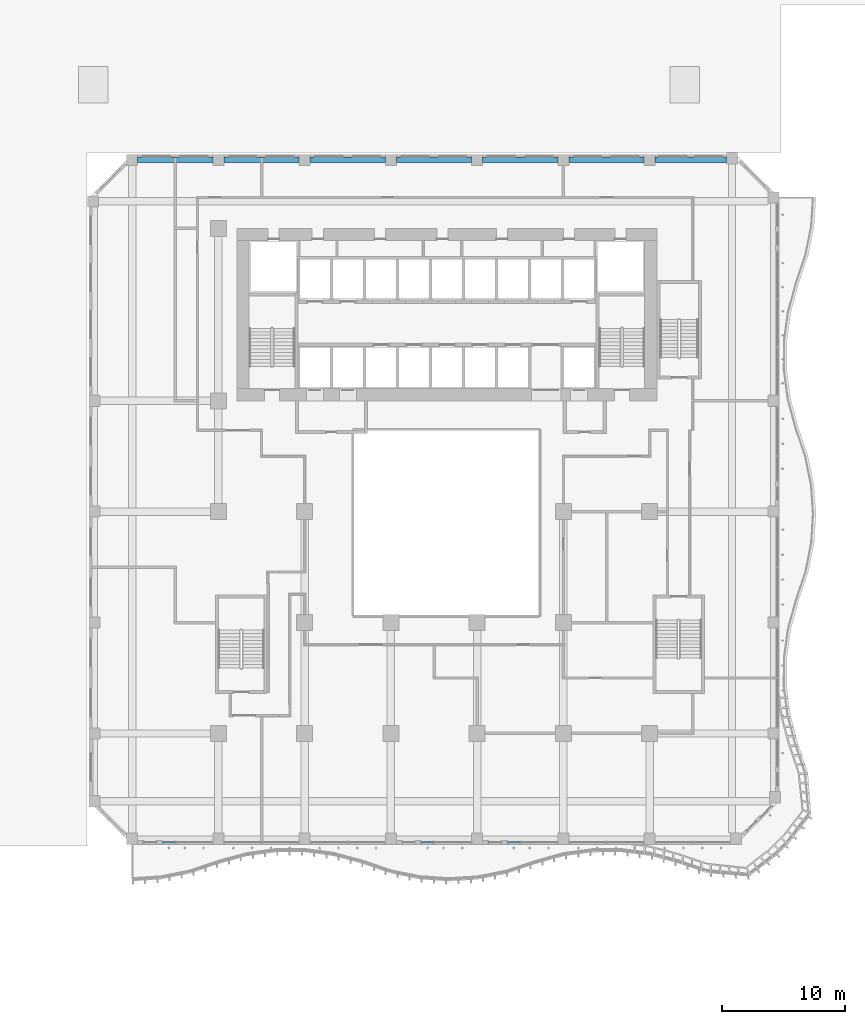
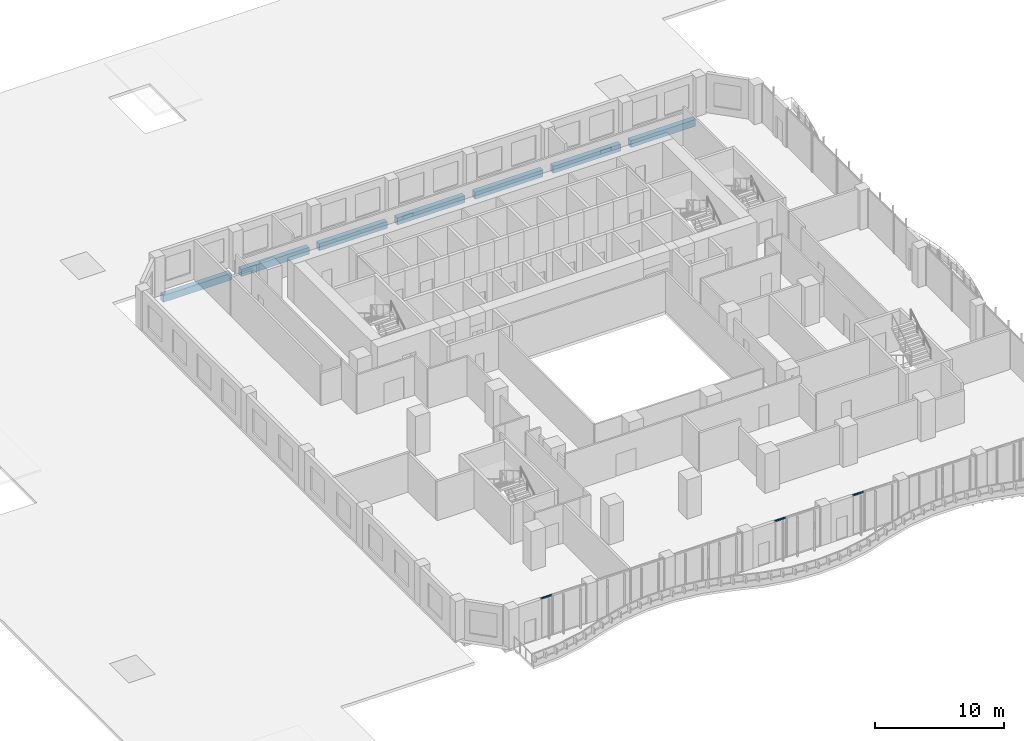
# One storey, part 10 of 29: 7 beams, 3 members, 3 elements without a shape of their own.
"""IFC4 building model written with IfcOpenShell, lengths in metres."""

from ifc_helpers import new_model, si_unit, direction, frame, origin, origin_2d, place, context, subcontext, project, spatial, rectangle, extrude, source, transform, mapped, material, material_profile, profile_set, type_object, element, aggregate, save


model = new_model("IFC4")

# Units and contexts
model_context = context("Model", 3, precision=1e-05, world=origin(), true_north=direction((0.0, 1.0)))
body_context = subcontext(model_context, "Body", "Model", "MODEL_VIEW")
ifc_project = project(units=[si_unit("LENGTHUNIT", "METRE"), si_unit("AREAUNIT", "SQUARE_METRE"), si_unit("VOLUMEUNIT", "CUBIC_METRE"), si_unit("PLANEANGLEUNIT", "RADIAN"), si_unit("MASSUNIT", "GRAM", prefix="KILO")], contexts=[model_context])

# Site, building, storey
site_placement = place(None, origin())
site = spatial("IfcSite", under=ifc_project, at=site_placement, CompositionType="ELEMENT")
building_placement = place(site_placement, origin())
building = spatial("IfcBuilding", under=site, at=building_placement, Name="Kilnfold Tower and Market Hall", CompositionType="ELEMENT")
storey_placement = place(building_placement, frame((0.0, 0.0, 27.0)))
storey = spatial("IfcBuildingStorey", under=building, at=storey_placement, Name="L05", CompositionType="ELEMENT", Elevation=27.0)

# Beams
ifc_material_1 = material(Name="Concrete C45", Category="concrete")
ifc_material_profile_1 = material_profile(ifc_material_1, rectangle(XDim=0.449951171875, YDim=0.64990234375, at=origin_2d()), Name="RC 450x650")
ifc_profile_set_1 = profile_set([ifc_material_profile_1], Name="Concrete C45")
beam_type = type_object("IfcBeamType", Name="EDGE BEAM 450X650 C45", PredefinedType="BEAM", material=ifc_profile_set_1)
shared_shape_1 = source(origin(), body_context, "Body", "SweptSolid", [
    extrude(rectangle(XDim=0.449951171875, YDim=0.64990234375, at=origin_2d()), origin(), (0.0, 0.0, 1.0), 6.10009765625),
])
for number, where, z_axis, x_axis, name in (
    (1, (-24.050048828125, 27.550048828125, -0.60498046875), (1.0, 0.0, 0.0), (0.0, 1.0, 0.0), "Beam EB650-B1.23"),
    (2, (-17.050048828125, 27.550048828125, -0.60498046875), (1.0, 0.0, 0.0), (0.0, 1.0, 0.0), "Beam EB650-B1.24"),
    (3, (-10.050048828125, 27.550048828125, -0.60498046875), (1.0, 0.0, 0.0), (0.0, 1.0, 0.0), "Beam EB650-B1.25"),
    (4, (-3.050048828125, 27.550048828125, -0.60498046875), (1.0, 0.0, 0.0), (0.0, 1.0, 0.0), "Beam EB650-B1.26"),
    (5, (3.949951171875, 27.550048828125, -0.60498046875), (1.0, 0.0, 0.0), (0.0, 1.0, 0.0), "Beam EB650-B1.27"),
    (6, (10.949951171875, 27.550048828125, -0.60498046875), (1.0, 0.0, 0.0), (0.0, 1.0, 0.0), "Beam EB650-B1.28"),
):
    element("IfcBeam", number, at=place(storey_placement, frame(where, z_axis=z_axis, x_axis=x_axis)), inside=storey, type_object=beam_type, Name=name, PredefinedType="BEAM", context=body_context, shape_type="MappedRepresentation", body=[
        mapped(shared_shape_1, transform((0.0, 0.0, 0.0))),
    ])
shared_shape_2 = source(origin(), body_context, "Body", "SweptSolid", [
    extrude(rectangle(XDim=0.449951171875, YDim=0.64990234375, at=origin_2d()), origin(), (0.0, 0.0, 1.0), 5.78173828125),
])
beam_placement = place(storey_placement, frame((17.949951171875, 27.550048828125, -0.60498046875), z_axis=(1.0, 0.0, 0.0), x_axis=(0.0, 1.0, 0.0)))
element("IfcBeam", 7, at=beam_placement, inside=storey, type_object=beam_type, Name="Beam EB650-B1.29", PredefinedType="BEAM", context=body_context, shape_type="MappedRepresentation", body=[
    mapped(shared_shape_2, transform((0.0, 0.0, 0.0))),
])

# Curtain wall, member
ifc_material_2 = material(Name="Aluminium and double glazing", Category="aluminium")
curtain_wall_type = type_object("IfcCurtainWallType", Name="CW OF1 VALLEY GLAZING", PredefinedType="NOTDEFINED", material=ifc_material_2)
curtain_wall_1_placement = place(storey_placement, origin())
curtain_wall_1 = element("IfcCurtainWall", 8, at=curtain_wall_1_placement, inside=storey, type_object=curtain_wall_type, Name="Curtain wall CW1 L05 S", PredefinedType="NOTDEFINED")
ifc_material_3 = material(Name="Aluminium", Category="aluminium")
ifc_material_profile_2 = material_profile(ifc_material_3, rectangle(XDim=0.06005859375, YDim=0.139892578125, at=origin_2d()), Name="TRANSOM 60x140")
ifc_profile_set_2 = profile_set([ifc_material_profile_2], Name="Aluminium")
member_type = type_object("IfcMemberType", Name="TRANSOM 60X140", PredefinedType="USERDEFINED", material=ifc_profile_set_2)
shared_shape_3 = source(origin(), body_context, "Body", "SweptSolid", [
    extrude(rectangle(XDim=0.06005859375, YDim=0.139892578125, at=origin_2d()), origin(), (0.0, 0.0, 1.0), 0.929931640625),
])
member_1_placement = place(storey_placement, frame((-21.989990234375, -27.85009765625, 3.68994140625), z_axis=(1.0, 0.0, 0.0), x_axis=(0.0, 1.0, 0.0)))
member_1 = element("IfcMember", 9, at=member_1_placement, type_object=member_type, Name="CW1 transom 1.2", ObjectType="TRANSOM", PredefinedType="USERDEFINED", context=body_context, shape_type="MappedRepresentation", body=[
    mapped(shared_shape_3, transform((0.0, 0.0, 0.0))),
])
aggregate(curtain_wall_1, [member_1])

curtain_wall_2_placement = place(storey_placement, origin())
curtain_wall_2 = element("IfcCurtainWall", 10, at=curtain_wall_2_placement, inside=storey, type_object=curtain_wall_type, Name="Curtain wall CW1 L05 S", PredefinedType="NOTDEFINED")
member_2_placement = place(storey_placement, frame((-0.989990234375, -27.85009765625, 3.68994140625), z_axis=(1.0, 0.0, 0.0), x_axis=(0.0, 1.0, 0.0)))
member_2 = element("IfcMember", 11, at=member_2_placement, type_object=member_type, Name="CW1 transom 1.2", ObjectType="TRANSOM", PredefinedType="USERDEFINED", context=body_context, shape_type="MappedRepresentation", body=[
    mapped(shared_shape_3, transform((0.0, 0.0, 0.0))),
])
aggregate(curtain_wall_2, [member_2])

curtain_wall_3_placement = place(storey_placement, origin())
curtain_wall_3 = element("IfcCurtainWall", 12, at=curtain_wall_3_placement, inside=storey, type_object=curtain_wall_type, Name="Curtain wall CW1 L05 S", PredefinedType="NOTDEFINED")
member_3_placement = place(storey_placement, frame((6.010009765625, -27.85009765625, 3.68994140625), z_axis=(1.0, 0.0, 0.0), x_axis=(0.0, 1.0, 0.0)))
member_3 = element("IfcMember", 13, at=member_3_placement, type_object=member_type, Name="CW1 transom 1.2", ObjectType="TRANSOM", PredefinedType="USERDEFINED", context=body_context, shape_type="MappedRepresentation", body=[
    mapped(shared_shape_3, transform((0.0, 0.0, 0.0))),
])
aggregate(curtain_wall_3, [member_3])

save(model, "model.ifc")
